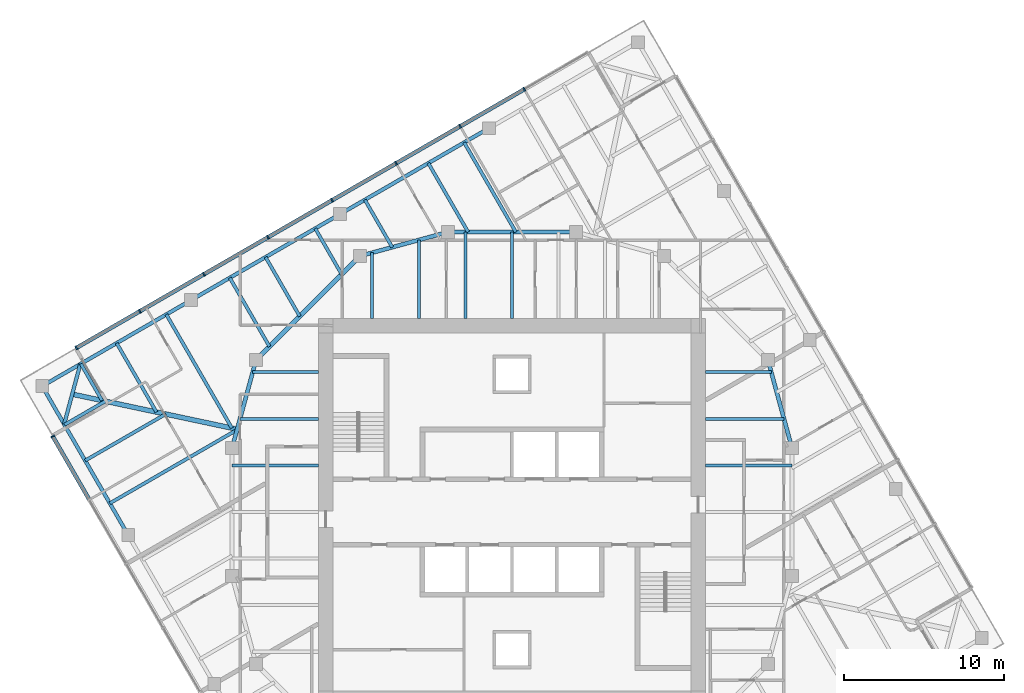
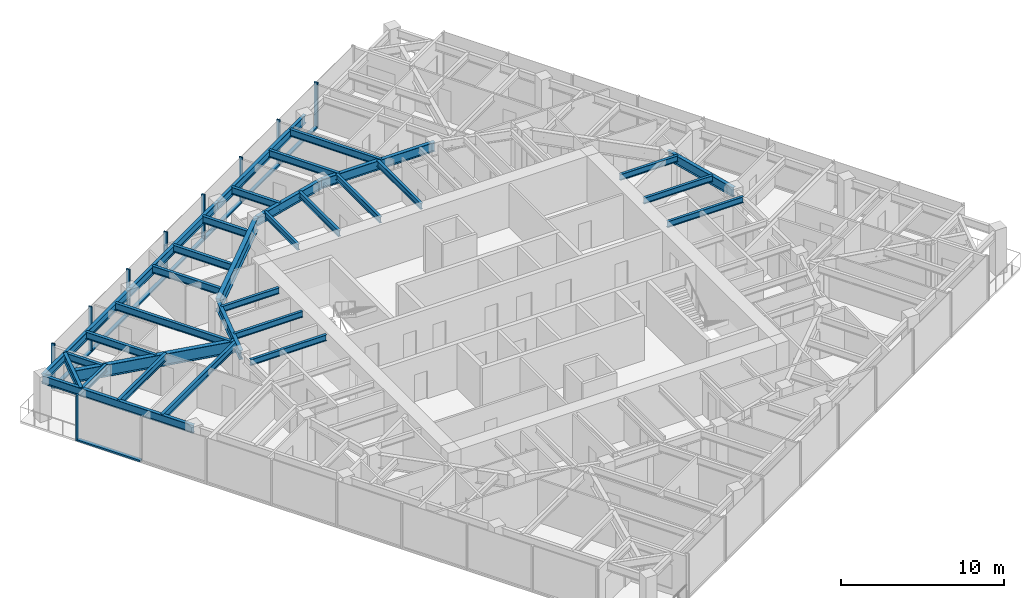
# One storey, part 4 of 12: 33 beams, 17 members, 2 elements without a shape of their own.
"""IFC4 building model written with IfcOpenShell, lengths in metres."""

from ifc_helpers import new_model, si_unit, direction, frame, origin, origin_2d, place, context, subcontext, project, spatial, rectangle, i_section, extrude, material, material_profile, profile_set, type_object, element, aggregate, save


model = new_model("IFC4")

# Units and contexts
model_context = context("Model", 3, precision=1e-05, world=origin(), true_north=direction((0.0, 1.0)))
body_context = subcontext(model_context, "Body", "Model", "MODEL_VIEW")
ifc_project = project(units=[si_unit("LENGTHUNIT", "METRE"), si_unit("AREAUNIT", "SQUARE_METRE"), si_unit("VOLUMEUNIT", "CUBIC_METRE"), si_unit("PLANEANGLEUNIT", "RADIAN"), si_unit("MASSUNIT", "GRAM", prefix="KILO")], contexts=[model_context])

# Site, building, storey
site_placement = place(None, origin())
site = spatial("IfcSite", under=ifc_project, at=site_placement, CompositionType="ELEMENT")
building_placement = place(site_placement, origin())
building = spatial("IfcBuilding", under=site, at=building_placement, Name="Torsade Residences", CompositionType="ELEMENT")
storey_placement = place(building_placement, frame((0.0, 0.0, 211.60009765625)))
storey = spatial("IfcBuildingStorey", under=building, at=storey_placement, Name="L58", CompositionType="ELEMENT", Elevation=211.60009765625)

# Beams
ifc_material_1 = material(Name="Steel grade 300", Category="steel")
ifc_material_profile_1 = material_profile(ifc_material_1, i_section(OverallWidth=0.300048828125, OverallDepth=0.89990234375, WebThickness=0.011962890625, FlangeThickness=0.02490234375, at=origin_2d()), Name="900WB175")
ifc_profile_set_1 = profile_set([ifc_material_profile_1], Name="Steel grade 300")
beam_type_1 = type_object("IfcBeamType", Name="CORNER GIRDER 900WB175", PredefinedType="BEAM", material=ifc_profile_set_1)
beam_1_placement = place(storey_placement, frame((12.5087890625, 37.3662109375, 2.7998046875), z_axis=(0.978115155685, -0.20806427425, 0.0), x_axis=(0.20806427425, 0.978115155685, 0.0)))
element("IfcBeam", 1, at=beam_1_placement, inside=storey, type_object=beam_type_1, Name="Corner girder 13 L59", PredefinedType="BEAM", context=body_context, shape_type="SweptSolid", body=[
    extrude(i_section(OverallWidth=0.300048828125, OverallDepth=0.89990234375, WebThickness=0.011962890625, FlangeThickness=0.02490234375, at=origin_2d()), origin(), (0.0, 0.0, 1.0), 10.541748046875),
])
ifc_material_2 = material(Name="Steel grade 300", Category="steel")
ifc_material_profile_2 = material_profile(ifc_material_2, i_section(OverallWidth=0.22802734375, OverallDepth=0.60205078125, WebThickness=0.010498046875, FlangeThickness=0.014892578125, FilletRadius=0.013916015625, at=origin_2d()), Name="610UB101")
ifc_profile_set_2 = profile_set([ifc_material_profile_2], Name="Steel grade 300")
beam_type_2 = type_object("IfcBeamType", Name="CORNER TRIMMER 610UB101", PredefinedType="BEAM", material=ifc_profile_set_2)
beam_2_placement = place(storey_placement, frame((12.00537109375, 35.488037109375, 2.948974609375), z_axis=(0.258822897619, 0.965924794002, 0.0), x_axis=(-0.965924794002, 0.258822897619, 0.0)))
element("IfcBeam", 2, at=beam_2_placement, inside=storey, type_object=beam_type_2, Name="Corner trimmer 13 L59", PredefinedType="BEAM", context=body_context, shape_type="SweptSolid", body=[
    extrude(i_section(OverallWidth=0.22802734375, OverallDepth=0.60205078125, WebThickness=0.010498046875, FlangeThickness=0.014892578125, FilletRadius=0.013916015625, at=origin_2d()), origin(), (0.0, 0.0, 1.0), 3.88916015625),
])
ifc_material_3 = material(Name="Steel grade 300", Category="steel")
ifc_material_profile_3 = material_profile(ifc_material_3, i_section(OverallWidth=0.22900390625, OverallDepth=0.612060546875, WebThickness=0.011962890625, FlangeThickness=0.01953125, FilletRadius=0.013916015625, at=origin_2d()), Name="610UB125")
ifc_profile_set_3 = profile_set([ifc_material_profile_3], Name="Steel grade 300")
beam_type_3 = type_object("IfcBeamType", Name="EDGE BEAM 610UB125", PredefinedType="SPANDREL", material=ifc_profile_set_3)
for number, where, z_axis, x_axis, name in (
    (3, (38.559814453125, 53.99462890625, 2.94384765625), (-0.866026365697, -0.499998333915, 0.0), (0.499998333915, -0.866026365697, 0.0), "Edge beam 10 L59"),
    (4, (29.25, 48.61962890625, 2.94384765625), (-0.866026365697, -0.499998333915, 0.0), (0.499998333915, -0.866026365697, 0.0), "Edge beam 11 L59"),
    (5, (19.940185546875, 43.24462890625, 2.94384765625), (-0.866026365697, -0.499998333915, 0.0), (0.499998333915, -0.866026365697, 0.0), "Edge beam 12 L59"),
    (6, (10.63037109375, 37.86962890625, 2.94384765625), (0.499998333915, -0.866026365697, 0.0), (0.866026365697, 0.499998333915, 0.0), "Edge beam 13 L59"),
):
    element("IfcBeam", number, at=place(storey_placement, frame(where, z_axis=z_axis, x_axis=x_axis)), inside=storey, type_object=beam_type_3, Name=name, PredefinedType="SPANDREL", context=body_context, shape_type="SweptSolid", body=[
        extrude(i_section(OverallWidth=0.22900390625, OverallDepth=0.612060546875, WebThickness=0.011962890625, FlangeThickness=0.01953125, FilletRadius=0.013916015625, at=origin_2d()), origin(), (0.0, 0.0, 1.0), 10.75),
    ])

# Curtain wall, members
ifc_material_4 = material(Name="Aluminium and glass", Category="aluminium")
curtain_wall_type = type_object("IfcCurtainWallType", Name="FRITTED GLASS CURTAIN WALL HIGH ZONE", PredefinedType="NOTDEFINED", material=ifc_material_4)
curtain_wall_1_placement = place(storey_placement, origin())
curtain_wall_1 = element("IfcCurtainWall", 7, at=curtain_wall_1_placement, inside=storey, type_object=curtain_wall_type, Name="Curtain wall L58 face 7", PredefinedType="NOTDEFINED")
ifc_material_5 = material(Name="Aluminium mullion", Category="aluminium")
ifc_material_profile_4 = material_profile(ifc_material_5, rectangle(XDim=0.25, YDim=0.10009765625, at=origin_2d()), Name="HIGH ZONE CURTAIN WALL MULLION 250x100")
ifc_profile_set_4 = profile_set([ifc_material_profile_4], Name="Aluminium mullion")
member_type_1 = type_object("IfcMemberType", Name="HIGH ZONE CURTAIN WALL MULLION 250x100", PredefinedType="MULLION", material=ifc_profile_set_4)
member_1_placement = place(storey_placement, frame((40.76611328125, 56.423095703125, 0.0), z_axis=(0.0, 0.0, 1.0), x_axis=(0.499999999305, -0.866025404186, 0.0)))
member_1 = element("IfcMember", 8, at=member_1_placement, type_object=member_type_1, Name="Mullion 2", PredefinedType="MULLION", context=body_context, shape_type="SweptSolid", body=[
    extrude(rectangle(XDim=0.25, YDim=0.10009765625, at=origin_2d()), origin(), (0.0, 0.0, 1.0), 3.39990234375),
])
member_2_placement = place(storey_placement, frame((36.7607421875, 54.110595703125, 0.0), z_axis=(0.0, 0.0, 1.0), x_axis=(0.499999999305, -0.866025404186, 0.0)))
member_2 = element("IfcMember", 9, at=member_2_placement, type_object=member_type_1, Name="Mullion 3", PredefinedType="MULLION", context=body_context, shape_type="SweptSolid", body=[
    extrude(rectangle(XDim=0.25, YDim=0.10009765625, at=origin_2d()), origin(), (0.0, 0.0, 1.0), 3.39990234375),
])
member_3_placement = place(storey_placement, frame((32.75537109375, 51.798095703125, 0.0), z_axis=(0.0, 0.0, 1.0), x_axis=(0.499999999305, -0.866025404186, 0.0)))
member_3 = element("IfcMember", 10, at=member_3_placement, type_object=member_type_1, Name="Mullion 4", PredefinedType="MULLION", context=body_context, shape_type="SweptSolid", body=[
    extrude(rectangle(XDim=0.25, YDim=0.10009765625, at=origin_2d()), origin(), (0.0, 0.0, 1.0), 3.39990234375),
])
member_4_placement = place(storey_placement, frame((28.75, 49.485595703125, 0.0), z_axis=(0.0, 0.0, 1.0), x_axis=(0.499999999305, -0.866025404186, 0.0)))
member_4 = element("IfcMember", 11, at=member_4_placement, type_object=member_type_1, Name="Mullion 5", PredefinedType="MULLION", context=body_context, shape_type="SweptSolid", body=[
    extrude(rectangle(XDim=0.25, YDim=0.10009765625, at=origin_2d()), origin(), (0.0, 0.0, 1.0), 3.39990234375),
])
member_5_placement = place(storey_placement, frame((24.74462890625, 47.173095703125, 0.0), z_axis=(0.0, 0.0, 1.0), x_axis=(0.499999999305, -0.866025404186, 0.0)))
member_5 = element("IfcMember", 12, at=member_5_placement, type_object=member_type_1, Name="Mullion 6", PredefinedType="MULLION", context=body_context, shape_type="SweptSolid", body=[
    extrude(rectangle(XDim=0.25, YDim=0.10009765625, at=origin_2d()), origin(), (0.0, 0.0, 1.0), 3.39990234375),
])
member_6_placement = place(storey_placement, frame((20.7392578125, 44.860595703125, 0.0), z_axis=(0.0, 0.0, 1.0), x_axis=(0.499999999305, -0.866025404186, 0.0)))
member_6 = element("IfcMember", 13, at=member_6_placement, type_object=member_type_1, Name="Mullion 7", PredefinedType="MULLION", context=body_context, shape_type="SweptSolid", body=[
    extrude(rectangle(XDim=0.25, YDim=0.10009765625, at=origin_2d()), origin(), (0.0, 0.0, 1.0), 3.39990234375),
])
member_7_placement = place(storey_placement, frame((16.73388671875, 42.548095703125, 0.0), z_axis=(0.0, 0.0, 1.0), x_axis=(0.499999999305, -0.866025404186, 0.0)))
member_7 = element("IfcMember", 14, at=member_7_placement, type_object=member_type_1, Name="Mullion 8", PredefinedType="MULLION", context=body_context, shape_type="SweptSolid", body=[
    extrude(rectangle(XDim=0.25, YDim=0.10009765625, at=origin_2d()), origin(), (0.0, 0.0, 1.0), 3.39990234375),
])
member_8_placement = place(storey_placement, frame((12.771728515625, 40.260498046875, 0.0), z_axis=(0.0, 0.0, 1.0), x_axis=(0.499999999305, -0.866025404186, 0.0)))
member_8 = element("IfcMember", 15, at=member_8_placement, type_object=member_type_1, Name="Mullion 9", PredefinedType="MULLION", context=body_context, shape_type="SweptSolid", body=[
    extrude(rectangle(XDim=0.25, YDim=0.10009765625, at=origin_2d()), origin(), (0.0, 0.0, 1.0), 3.39990234375),
])

# Curtain wall, member
curtain_wall_2_placement = place(storey_placement, origin())
curtain_wall_2 = element("IfcCurtainWall", 16, at=curtain_wall_2_placement, inside=storey, type_object=curtain_wall_type, Name="Curtain wall L58 face 10", PredefinedType="NOTDEFINED")
member_9_placement = place(storey_placement, frame((11.289306640625, 34.728271484375, 0.0), z_axis=(0.0, 0.0, 1.0), x_axis=(0.866025404186, 0.499999999305, 0.0)))
member_9 = element("IfcMember", 17, at=member_9_placement, type_object=member_type_1, Name="Mullion 1", PredefinedType="MULLION", context=body_context, shape_type="SweptSolid", body=[
    extrude(rectangle(XDim=0.25, YDim=0.10009765625, at=origin_2d()), origin(), (0.0, 0.0, 1.0), 3.39990234375),
])

# Member
ifc_material_6 = material(Name="Aluminium transom", Category="aluminium")
ifc_material_profile_5 = material_profile(ifc_material_6, rectangle(XDim=0.25, YDim=0.1201171875, at=origin_2d()), Name="HIGH ZONE CURTAIN WALL TRANSOM 250x120")
ifc_profile_set_5 = profile_set([ifc_material_profile_5], Name="Aluminium transom")
member_type_2 = type_object("IfcMemberType", Name="HIGH ZONE CURTAIN WALL TRANSOM 250x120", PredefinedType="USERDEFINED", material=ifc_profile_set_5)
member_10_placement = place(storey_placement, frame((40.722900390625, 56.398193359375, 0.059814453125), z_axis=(-0.866016678684, -0.500015112013, 0.0), x_axis=(0.500015112013, -0.866016678684, 0.0)))
member_10 = element("IfcMember", 18, at=member_10_placement, type_object=member_type_2, Name="Transom 2.1", ObjectType="TRANSOM", PredefinedType="USERDEFINED", context=body_context, shape_type="SweptSolid", body=[
    extrude(rectangle(XDim=0.25, YDim=0.1201171875, at=origin_2d()), origin(), (0.0, 0.0, 1.0), 4.525146484375),
])

member_11_placement = place(storey_placement, frame((36.717529296875, 54.085693359375, 0.059814453125), z_axis=(-0.866016678684, -0.500015112013, 0.0), x_axis=(0.500015112013, -0.866016678684, 0.0)))
member_11 = element("IfcMember", 19, at=member_11_placement, type_object=member_type_2, Name="Transom 3.1", ObjectType="TRANSOM", PredefinedType="USERDEFINED", context=body_context, shape_type="SweptSolid", body=[
    extrude(rectangle(XDim=0.25, YDim=0.1201171875, at=origin_2d()), origin(), (0.0, 0.0, 1.0), 4.525146484375),
])

member_12_placement = place(storey_placement, frame((32.712158203125, 51.773193359375, 0.059814453125), z_axis=(-0.866016678684, -0.500015112013, 0.0), x_axis=(0.500015112013, -0.866016678684, 0.0)))
member_12 = element("IfcMember", 20, at=member_12_placement, type_object=member_type_2, Name="Transom 4.1", ObjectType="TRANSOM", PredefinedType="USERDEFINED", context=body_context, shape_type="SweptSolid", body=[
    extrude(rectangle(XDim=0.25, YDim=0.1201171875, at=origin_2d()), origin(), (0.0, 0.0, 1.0), 4.525146484375),
])

member_13_placement = place(storey_placement, frame((28.706787109375, 49.460693359375, 0.059814453125), z_axis=(-0.866016678684, -0.500015112013, 0.0), x_axis=(0.500015112013, -0.866016678684, 0.0)))
member_13 = element("IfcMember", 21, at=member_13_placement, type_object=member_type_2, Name="Transom 5.1", ObjectType="TRANSOM", PredefinedType="USERDEFINED", context=body_context, shape_type="SweptSolid", body=[
    extrude(rectangle(XDim=0.25, YDim=0.1201171875, at=origin_2d()), origin(), (0.0, 0.0, 1.0), 4.525146484375),
])

member_14_placement = place(storey_placement, frame((24.701416015625, 47.148193359375, 0.059814453125), z_axis=(-0.866016678684, -0.500015112013, 0.0), x_axis=(0.500015112013, -0.866016678684, 0.0)))
member_14 = element("IfcMember", 22, at=member_14_placement, type_object=member_type_2, Name="Transom 6.1", ObjectType="TRANSOM", PredefinedType="USERDEFINED", context=body_context, shape_type="SweptSolid", body=[
    extrude(rectangle(XDim=0.25, YDim=0.1201171875, at=origin_2d()), origin(), (0.0, 0.0, 1.0), 4.525146484375),
])

member_15_placement = place(storey_placement, frame((20.696044921875, 44.835693359375, 0.059814453125), z_axis=(-0.866016678684, -0.500015112013, 0.0), x_axis=(0.500015112013, -0.866016678684, 0.0)))
member_15 = element("IfcMember", 23, at=member_15_placement, type_object=member_type_2, Name="Transom 7.1", ObjectType="TRANSOM", PredefinedType="USERDEFINED", context=body_context, shape_type="SweptSolid", body=[
    extrude(rectangle(XDim=0.25, YDim=0.1201171875, at=origin_2d()), origin(), (0.0, 0.0, 1.0), 4.525146484375),
])

member_16_placement = place(storey_placement, frame((16.690673828125, 42.523193359375, 0.059814453125), z_axis=(-0.866022053326, -0.50000580312, 0.0), x_axis=(0.50000580312, -0.866022053326, 0.0)))
member_16 = element("IfcMember", 24, at=member_16_placement, type_object=member_type_2, Name="Transom 8.1", ObjectType="TRANSOM", PredefinedType="USERDEFINED", context=body_context, shape_type="SweptSolid", body=[
    extrude(rectangle(XDim=0.25, YDim=0.1201171875, at=origin_2d()), origin(), (0.0, 0.0, 1.0), 4.47509765625),
])

aggregate(curtain_wall_1, [member_1, member_2, member_3, member_4, member_5, member_6, member_7, member_8, member_10, member_11, member_12, member_13, member_14, member_15, member_16])

member_17_placement = place(storey_placement, frame((11.314453125, 34.684814453125, 0.059814453125), z_axis=(0.50000580312, -0.866022053326, 0.0), x_axis=(0.866022053326, 0.50000580312, 0.0)))
member_17 = element("IfcMember", 25, at=member_17_placement, type_object=member_type_2, Name="Transom 1.1", ObjectType="TRANSOM", PredefinedType="USERDEFINED", context=body_context, shape_type="SweptSolid", body=[
    extrude(rectangle(XDim=0.25, YDim=0.1201171875, at=origin_2d()), origin(), (0.0, 0.0, 1.0), 4.47509765625),
])

aggregate(curtain_wall_2, [member_9, member_17])

# Beams
ifc_material_7 = material(Name="Steel grade 300", Category="steel")
ifc_material_profile_6 = material_profile(ifc_material_7, i_section(OverallWidth=0.18994140625, OverallDepth=0.4541015625, WebThickness=0.008544921875, FlangeThickness=0.0126953125, FilletRadius=0.011474609375, at=origin_2d()), Name="460UB67.1")
ifc_profile_set_6 = profile_set([ifc_material_profile_6], Name="Steel grade 300")
beam_type_4 = type_object("IfcBeamType", Name="INNER FLOOR BEAM 460UB67.1", PredefinedType="JOIST", material=ifc_profile_set_6)
beam_3_placement = place(storey_placement, frame((31.262451171875, 42.10009765625, 3.02294921875), z_axis=(0.0, 1.0, 0.0), x_axis=(-1.0, 0.0, 0.0)))
element("IfcBeam", 26, at=beam_3_placement, inside=storey, type_object=beam_type_4, Name="Inner floor beam IN01 L59", PredefinedType="JOIST", context=body_context, shape_type="SweptSolid", body=[
    extrude(i_section(OverallWidth=0.18994140625, OverallDepth=0.4541015625, WebThickness=0.008544921875, FlangeThickness=0.0126953125, FilletRadius=0.011474609375, at=origin_2d()), origin(), (0.0, 0.0, 1.0), 4.10791015625),
])
beam_4_placement = place(storey_placement, frame((34.175048828125, 42.10009765625, 3.02294921875), z_axis=(0.0, 1.0, 0.0), x_axis=(-1.0, 0.0, 0.0)))
element("IfcBeam", 27, at=beam_4_placement, inside=storey, type_object=beam_type_4, Name="Inner floor beam IN02 L59", PredefinedType="JOIST", context=body_context, shape_type="SweptSolid", body=[
    extrude(i_section(OverallWidth=0.18994140625, OverallDepth=0.4541015625, WebThickness=0.008544921875, FlangeThickness=0.0126953125, FilletRadius=0.011474609375, at=origin_2d()), origin(), (0.0, 0.0, 1.0), 4.902099609375),
])
for number, where, z_axis, x_axis, name in (
    (28, (37.08740234375, 42.10009765625, 3.02294921875), (0.0, 1.0, 0.0), (-1.0, 0.0, 0.0), "Inner floor beam IN03 L59"),
    (29, (40.0, 42.10009765625, 3.02294921875), (0.0, 1.0, 0.0), (-1.0, 0.0, 0.0), "Inner floor beam IN04 L59"),
    (30, (52.10009765625, 32.91259765625, 3.02294921875), (1.0, 0.0, 0.0), (0.0, 1.0, 0.0), "Inner floor beam IE05 L59"),
):
    element("IfcBeam", number, at=place(storey_placement, frame(where, z_axis=z_axis, x_axis=x_axis)), inside=storey, type_object=beam_type_4, Name=name, PredefinedType="JOIST", context=body_context, shape_type="SweptSolid", body=[
        extrude(i_section(OverallWidth=0.18994140625, OverallDepth=0.4541015625, WebThickness=0.008544921875, FlangeThickness=0.0126953125, FilletRadius=0.011474609375, at=origin_2d()), origin(), (0.0, 0.0, 1.0), 5.39990234375),
    ])
beam_5_placement = place(storey_placement, frame((52.10009765625, 35.824951171875, 3.02294921875), z_axis=(1.0, 0.0, 0.0), x_axis=(0.0, 1.0, 0.0)))
element("IfcBeam", 31, at=beam_5_placement, inside=storey, type_object=beam_type_4, Name="Inner floor beam IE06 L59", PredefinedType="JOIST", context=body_context, shape_type="SweptSolid", body=[
    extrude(i_section(OverallWidth=0.18994140625, OverallDepth=0.4541015625, WebThickness=0.008544921875, FlangeThickness=0.0126953125, FilletRadius=0.011474609375, at=origin_2d()), origin(), (0.0, 0.0, 1.0), 4.902099609375),
])
for number, where, z_axis, x_axis, name in (
    (32, (52.10009765625, 38.737548828125, 3.02294921875), (1.0, 0.0, 0.0), (0.0, 1.0, 0.0), "Inner floor beam IE07 L59"),
    (33, (27.89990234375, 38.737548828125, 3.02294921875), (-1.0, 0.0, 0.0), (0.0, -1.0, 0.0), "Inner floor beam IW01 L59"),
):
    element("IfcBeam", number, at=place(storey_placement, frame(where, z_axis=z_axis, x_axis=x_axis)), inside=storey, type_object=beam_type_4, Name=name, PredefinedType="JOIST", context=body_context, shape_type="SweptSolid", body=[
        extrude(i_section(OverallWidth=0.18994140625, OverallDepth=0.4541015625, WebThickness=0.008544921875, FlangeThickness=0.0126953125, FilletRadius=0.011474609375, at=origin_2d()), origin(), (0.0, 0.0, 1.0), 4.10791015625),
    ])
beam_6_placement = place(storey_placement, frame((27.89990234375, 35.824951171875, 3.02294921875), z_axis=(-1.0, 0.0, 0.0), x_axis=(0.0, -1.0, 0.0)))
element("IfcBeam", 34, at=beam_6_placement, inside=storey, type_object=beam_type_4, Name="Inner floor beam IW02 L59", PredefinedType="JOIST", context=body_context, shape_type="SweptSolid", body=[
    extrude(i_section(OverallWidth=0.18994140625, OverallDepth=0.4541015625, WebThickness=0.008544921875, FlangeThickness=0.0126953125, FilletRadius=0.011474609375, at=origin_2d()), origin(), (0.0, 0.0, 1.0), 4.902099609375),
])
beam_7_placement = place(storey_placement, frame((27.89990234375, 32.91259765625, 3.02294921875), z_axis=(-1.0, 0.0, 0.0), x_axis=(0.0, -1.0, 0.0)))
element("IfcBeam", 35, at=beam_7_placement, inside=storey, type_object=beam_type_4, Name="Inner floor beam IW03 L59", PredefinedType="JOIST", context=body_context, shape_type="SweptSolid", body=[
    extrude(i_section(OverallWidth=0.18994140625, OverallDepth=0.4541015625, WebThickness=0.008544921875, FlangeThickness=0.0126953125, FilletRadius=0.011474609375, at=origin_2d()), origin(), (0.0, 0.0, 1.0), 5.39990234375),
])
ifc_material_8 = material(Name="Steel grade 300", Category="steel")
ifc_material_profile_7 = material_profile(ifc_material_8, i_section(OverallWidth=0.300048828125, OverallDepth=1.0, WebThickness=0.01611328125, FlangeThickness=0.028076171875, at=origin_2d()), Name="1000WB215")
ifc_profile_set_7 = profile_set([ifc_material_profile_7], Name="Steel grade 300")
beam_type_5 = type_object("IfcBeamType", Name="RING CORNER GIRDER 1000WB215", PredefinedType="BEAM", material=ifc_profile_set_7)
beam_8_placement = place(storey_placement, frame((30.5, 46.0, 2.75), z_axis=(-0.707106781187, -0.707106781187, 0.0), x_axis=(0.707106781187, -0.707106781187, 0.0)))
element("IfcBeam", 36, at=beam_8_placement, inside=storey, type_object=beam_type_5, Name="Ring girder IR07 L59", PredefinedType="BEAM", context=body_context, shape_type="SweptSolid", body=[
    extrude(i_section(OverallWidth=0.300048828125, OverallDepth=1.0, WebThickness=0.01611328125, FlangeThickness=0.028076171875, at=origin_2d()), origin(), (0.0, 0.0, 1.0), 9.1923828125),
])
ifc_material_9 = material(Name="Steel grade 300", Category="steel")
ifc_material_profile_8 = material_profile(ifc_material_9, i_section(OverallWidth=0.25, OverallDepth=0.699951171875, WebThickness=0.010009765625, FlangeThickness=0.02001953125, at=origin_2d()), Name="700WB130")
ifc_profile_set_8 = profile_set([ifc_material_profile_8], Name="Steel grade 300")
beam_type_6 = type_object("IfcBeamType", Name="RING GIRDER 700WB130", PredefinedType="BEAM", material=ifc_profile_set_8)
beam_9_placement = place(storey_placement, frame((57.5, 34.0, 2.89990234375), z_axis=(-0.263117405792, 0.964763821238, 0.0), x_axis=(-0.964763821238, -0.263117405792, 0.0)))
element("IfcBeam", 37, at=beam_9_placement, inside=storey, type_object=beam_type_6, Name="Ring girder IR02 L59", PredefinedType="BEAM", context=body_context, shape_type="SweptSolid", body=[
    extrude(i_section(OverallWidth=0.25, OverallDepth=0.699951171875, WebThickness=0.010009765625, FlangeThickness=0.02001953125, at=origin_2d()), origin(), (0.0, 0.0, 1.0), 5.700927734375),
])
beam_10_placement = place(storey_placement, frame((44.0, 47.5, 2.89990234375), z_axis=(-1.0, 0.0, 0.0), x_axis=(0.0, -1.0, 0.0)))
element("IfcBeam", 38, at=beam_10_placement, inside=storey, type_object=beam_type_6, Name="Ring girder IR05 L59", PredefinedType="BEAM", context=body_context, shape_type="SweptSolid", body=[
    extrude(i_section(OverallWidth=0.25, OverallDepth=0.699951171875, WebThickness=0.010009765625, FlangeThickness=0.02001953125, at=origin_2d()), origin(), (0.0, 0.0, 1.0), 8.0),
])
for number, where, z_axis, x_axis, name in (
    (39, (36.0, 47.5, 2.89990234375), (-0.964763821238, -0.263117405792, 0.0), (0.263117405792, -0.964763821238, 0.0), "Ring girder IR06 L59"),
    (40, (24.0, 39.5, 2.89990234375), (-0.263117405792, -0.964763821238, 0.0), (0.964763821238, -0.263117405792, 0.0), "Ring girder IR08 L59"),
):
    element("IfcBeam", number, at=place(storey_placement, frame(where, z_axis=z_axis, x_axis=x_axis)), inside=storey, type_object=beam_type_6, Name=name, PredefinedType="BEAM", context=body_context, shape_type="SweptSolid", body=[
        extrude(i_section(OverallWidth=0.25, OverallDepth=0.699951171875, WebThickness=0.010009765625, FlangeThickness=0.02001953125, at=origin_2d()), origin(), (0.0, 0.0, 1.0), 5.700927734375),
    ])
ifc_material_10 = material(Name="Steel grade 300", Category="steel")
ifc_material_profile_9 = material_profile(ifc_material_10, i_section(OverallWidth=0.208984375, OverallDepth=0.528076171875, WebThickness=0.009521484375, FlangeThickness=0.01318359375, FilletRadius=0.013916015625, at=origin_2d()), Name="530UB82.0")
ifc_profile_set_9 = profile_set([ifc_material_profile_9], Name="Steel grade 300")
beam_type_7 = type_object("IfcBeamType", Name="SECONDARY BEAM 530UB82.0", PredefinedType="JOIST", material=ifc_profile_set_9)
beam_11_placement = place(storey_placement, frame((37.008056640625, 53.0986328125, 2.98583984375), z_axis=(0.500005767435, -0.866022073929, 0.0), x_axis=(0.866022073929, 0.500005767435, 0.0)))
element("IfcBeam", 41, at=beam_11_placement, inside=storey, type_object=beam_type_7, Name="Floor beam FN04 L59", PredefinedType="JOIST", context=body_context, shape_type="SweptSolid", body=[
    extrude(i_section(OverallWidth=0.208984375, OverallDepth=0.528076171875, WebThickness=0.009521484375, FlangeThickness=0.01318359375, FilletRadius=0.013916015625, at=origin_2d()), origin(), (0.0, 0.0, 1.0), 6.46484375),
])
beam_12_placement = place(storey_placement, frame((34.77099609375, 51.80712890625, 2.98583984375), z_axis=(0.499977414361, -0.866038443216, 0.0), x_axis=(0.866038443216, 0.499977414361, 0.0)))
element("IfcBeam", 42, at=beam_12_placement, inside=storey, type_object=beam_type_7, Name="Floor beam FN05 L59", PredefinedType="JOIST", context=body_context, shape_type="SweptSolid", body=[
    extrude(i_section(OverallWidth=0.208984375, OverallDepth=0.528076171875, WebThickness=0.009521484375, FlangeThickness=0.01318359375, FilletRadius=0.013916015625, at=origin_2d()), origin(), (0.0, 0.0, 1.0), 4.973388671875),
])
beam_13_placement = place(storey_placement, frame((30.801513671875, 49.515380859375, 2.98583984375), z_axis=(0.500041249073, -0.866001587311, 0.0), x_axis=(0.866001587311, 0.500041249073, 0.0)))
element("IfcBeam", 43, at=beam_13_placement, inside=storey, type_object=beam_type_7, Name="Floor beam FN06 L59", PredefinedType="JOIST", context=body_context, shape_type="SweptSolid", body=[
    extrude(i_section(OverallWidth=0.208984375, OverallDepth=0.528076171875, WebThickness=0.009521484375, FlangeThickness=0.01318359375, FilletRadius=0.013916015625, at=origin_2d()), origin(), (0.0, 0.0, 1.0), 3.425048828125),
])
beam_14_placement = place(storey_placement, frame((27.698486328125, 47.7236328125, 2.98583984375), z_axis=(0.499975512502, -0.866039541186, 0.0), x_axis=(0.866039541186, 0.499975512502, 0.0)))
element("IfcBeam", 44, at=beam_14_placement, inside=storey, type_object=beam_type_7, Name="Floor beam FN07 L59", PredefinedType="JOIST", context=body_context, shape_type="SweptSolid", body=[
    extrude(i_section(OverallWidth=0.208984375, OverallDepth=0.528076171875, WebThickness=0.009521484375, FlangeThickness=0.01318359375, FilletRadius=0.013916015625, at=origin_2d()), origin(), (0.0, 0.0, 1.0), 3.312744140625),
])
beam_15_placement = place(storey_placement, frame((24.59521484375, 45.93212890625, 2.98583984375), z_axis=(0.500004369671, -0.866022880939, 0.0), x_axis=(0.866022880939, 0.500004369671, 0.0)))
element("IfcBeam", 45, at=beam_15_placement, inside=storey, type_object=beam_type_7, Name="Floor beam FN08 L59", PredefinedType="JOIST", context=body_context, shape_type="SweptSolid", body=[
    extrude(i_section(OverallWidth=0.208984375, OverallDepth=0.528076171875, WebThickness=0.009521484375, FlangeThickness=0.01318359375, FilletRadius=0.013916015625, at=origin_2d()), origin(), (0.0, 0.0, 1.0), 4.27294921875),
])
beam_16_placement = place(storey_placement, frame((22.35791015625, 44.640380859375, 2.98583984375), z_axis=(0.49996790502, -0.866043933037, 0.0), x_axis=(0.866043933037, 0.49996790502, 0.0)))
element("IfcBeam", 46, at=beam_16_placement, inside=storey, type_object=beam_type_7, Name="Floor beam FN09 L59", PredefinedType="JOIST", context=body_context, shape_type="SweptSolid", body=[
    extrude(i_section(OverallWidth=0.208984375, OverallDepth=0.528076171875, WebThickness=0.009521484375, FlangeThickness=0.01318359375, FilletRadius=0.013916015625, at=origin_2d()), origin(), (0.0, 0.0, 1.0), 4.965087890625),
])
beam_17_placement = place(storey_placement, frame((18.388671875, 42.3486328125, 2.98583984375), z_axis=(0.499992034702, -0.866030002502, 0.0), x_axis=(0.866030002502, 0.499992034702, 0.0)))
element("IfcBeam", 47, at=beam_17_placement, inside=storey, type_object=beam_type_7, Name="Floor beam FN10 L59", PredefinedType="JOIST", context=body_context, shape_type="SweptSolid", body=[
    extrude(i_section(OverallWidth=0.208984375, OverallDepth=0.528076171875, WebThickness=0.009521484375, FlangeThickness=0.01318359375, FilletRadius=0.013916015625, at=origin_2d()), origin(), (0.0, 0.0, 1.0), 8.205322265625),
])
beam_18_placement = place(storey_placement, frame((15.285400390625, 40.55712890625, 2.98583984375), z_axis=(0.499968694491, -0.866043477274, 0.0), x_axis=(0.866043477274, 0.499968694491, 0.0)))
element("IfcBeam", 48, at=beam_18_placement, inside=storey, type_object=beam_type_7, Name="Floor beam FN11 L59", PredefinedType="JOIST", context=body_context, shape_type="SweptSolid", body=[
    extrude(i_section(OverallWidth=0.208984375, OverallDepth=0.528076171875, WebThickness=0.009521484375, FlangeThickness=0.01318359375, FilletRadius=0.013916015625, at=origin_2d()), origin(), (0.0, 0.0, 1.0), 4.977783203125),
])
beam_19_placement = place(storey_placement, frame((13.048095703125, 39.265380859375, 2.98583984375), z_axis=(0.499972238474, -0.866041431316, 0.0), x_axis=(0.866041431316, 0.499972238474, 0.0)))
element("IfcBeam", 49, at=beam_19_placement, inside=storey, type_object=beam_type_7, Name="Floor beam FN12 L59", PredefinedType="JOIST", context=body_context, shape_type="SweptSolid", body=[
    extrude(i_section(OverallWidth=0.208984375, OverallDepth=0.528076171875, WebThickness=0.009521484375, FlangeThickness=0.01318359375, FilletRadius=0.013916015625, at=origin_2d()), origin(), (0.0, 0.0, 1.0), 2.651123046875),
])
beam_20_placement = place(storey_placement, frame((12.0263671875, 35.451904296875, 2.98583984375), z_axis=(0.866017313224, 0.500014013, 0.0), x_axis=(-0.500014013, 0.866017313224, 0.0)))
element("IfcBeam", 50, at=beam_20_placement, inside=storey, type_object=beam_type_7, Name="Floor beam FW01 L59", PredefinedType="JOIST", context=body_context, shape_type="SweptSolid", body=[
    extrude(i_section(OverallWidth=0.208984375, OverallDepth=0.528076171875, WebThickness=0.009521484375, FlangeThickness=0.01318359375, FilletRadius=0.013916015625, at=origin_2d()), origin(), (0.0, 0.0, 1.0), 2.94775390625),
])
beam_21_placement = place(storey_placement, frame((13.31787109375, 33.214599609375, 2.98583984375), z_axis=(0.866031100357, 0.499990133118, 0.0), x_axis=(-0.499990133118, 0.866031100357, 0.0)))
element("IfcBeam", 51, at=beam_21_placement, inside=storey, type_object=beam_type_7, Name="Floor beam FW02 L59", PredefinedType="JOIST", context=body_context, shape_type="SweptSolid", body=[
    extrude(i_section(OverallWidth=0.208984375, OverallDepth=0.528076171875, WebThickness=0.009521484375, FlangeThickness=0.01318359375, FilletRadius=0.013916015625, at=origin_2d()), origin(), (0.0, 0.0, 1.0), 5.81591796875),
])
beam_22_placement = place(storey_placement, frame((14.859619140625, 30.54443359375, 2.98583984375), z_axis=(0.866021712342, 0.500006393711, 0.0), x_axis=(-0.500006393711, 0.866021712342, 0.0)))
element("IfcBeam", 52, at=beam_22_placement, inside=storey, type_object=beam_type_7, Name="Floor beam FW03 L59", PredefinedType="JOIST", context=body_context, shape_type="SweptSolid", body=[
    extrude(i_section(OverallWidth=0.208984375, OverallDepth=0.528076171875, WebThickness=0.009521484375, FlangeThickness=0.01318359375, FilletRadius=0.013916015625, at=origin_2d()), origin(), (0.0, 0.0, 1.0), 9.1796875),
])

save(model, "model.ifc")
